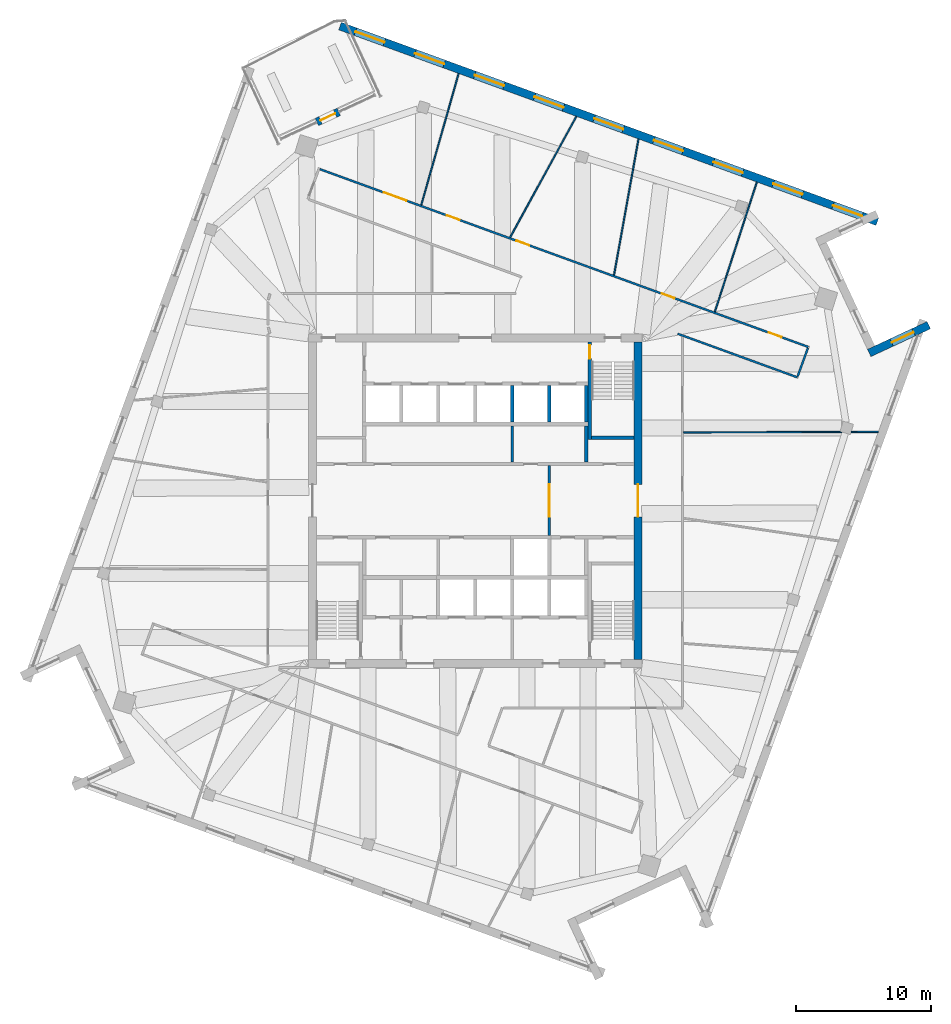
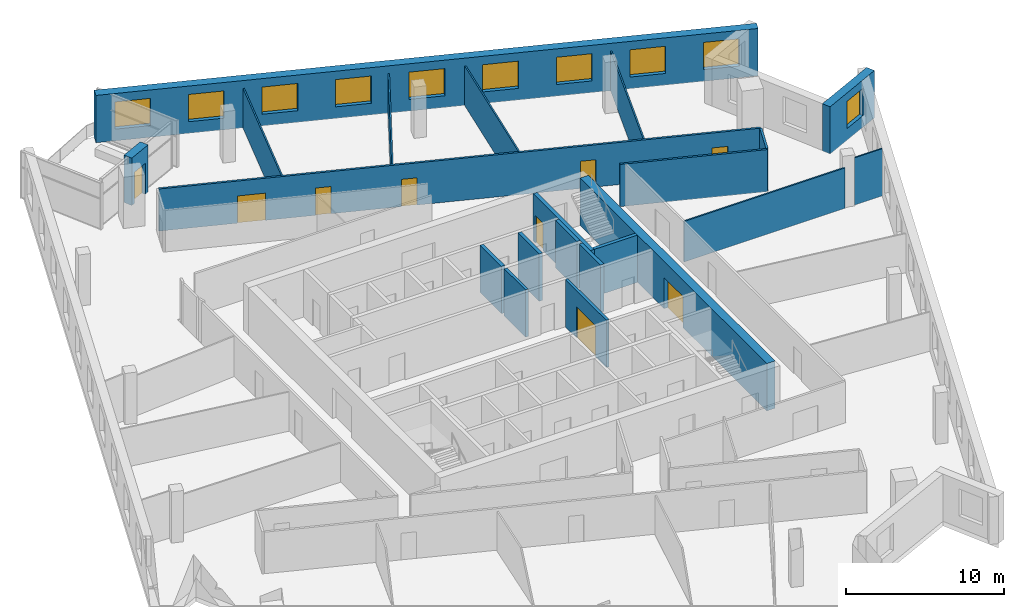
# One storey, part 10 of 13: 21 walls, 10 windows, 9 doors, 19 openings.
"""IFC4 building model written with IfcOpenShell, lengths in metres."""

from ifc_helpers import new_model, si_unit, direction, frame, frame_2d, origin, place, context, subcontext, project, spatial, rectangle, extrude, material, layer, layer_set, type_object, element, fill, save


model = new_model("IFC4")

# Units and contexts
model_context = context("Model", 3, precision=1e-05, world=origin(), true_north=direction((0.0, 1.0)))
body_context = subcontext(model_context, "Body", "Model", "MODEL_VIEW")
ifc_project = project(units=[si_unit("LENGTHUNIT", "METRE"), si_unit("AREAUNIT", "SQUARE_METRE"), si_unit("VOLUMEUNIT", "CUBIC_METRE"), si_unit("PLANEANGLEUNIT", "RADIAN"), si_unit("MASSUNIT", "GRAM", prefix="KILO")], contexts=[model_context])

# Site, building, storey
site_placement = place(None, origin())
site = spatial("IfcSite", under=ifc_project, at=site_placement, CompositionType="ELEMENT")
building_placement = place(site_placement, origin())
building = spatial("IfcBuilding", under=site, at=building_placement, Name="Dilmun Exchange Tower", CompositionType="ELEMENT")
storey_placement = place(building_placement, frame((0.0, 0.0, 304.5)))
storey = spatial("IfcBuildingStorey", under=building, at=storey_placement, Name="L72", CompositionType="ELEMENT", Elevation=304.5)

# Wall, opening, door
ifc_material_1 = material(Name="Concrete C40/50", Category="concrete")
ifc_layer_1 = layer(ifc_material_1, 0.199951171875)
ifc_layer_set_1 = layer_set([ifc_layer_1], Name="Concrete C40/50")
wall_type_1 = type_object("IfcWallType", Name="Core partition wall 200", PredefinedType="PARTITIONING", material=ifc_layer_set_1)
wall_1_placement = place(storey_placement, frame((5.5, -2.594970703125, 0.0), z_axis=(0.0, 0.0, 1.0), x_axis=(0.0, 1.0, 0.0)))
wall_1 = element("IfcWall", 1, at=wall_1_placement, inside=storey, type_object=wall_type_1, Name="L72 core partition wall 12", PredefinedType="PARTITIONING", context=body_context, shape_type="SweptSolid", body=[
    extrude(rectangle(XDim=5.18994140625, YDim=0.199951171875, at=frame_2d((2.594970703125, 0.0))), origin(), (0.0, 0.0, 1.0), 3.64990234375),
])
opening_1_placement = place(wall_1_placement, frame((1.39501953125, 0.0, 0.0)))
opening_1 = element("IfcOpeningElement", 2, at=opening_1_placement, cuts=wall_1, Name="Opening CD1", PredefinedType="OPENING", context=body_context, shape_type="SweptSolid", body=[
    extrude(rectangle(XDim=2.39990234375, YDim=2.39990234375, at=frame_2d((1.199951171875, 1.199951171875))), frame((0.0, 0.10986328125, 0.0), z_axis=(0.0, -1.0, 0.0), x_axis=(1.0, 0.0, 0.0)), (0.0, 0.0, 1.0), 0.219970703125),
])
ifc_material_2 = material(Name="Fire-rated steel door set", Category="steel")
door_type_1 = type_object("IfcDoorType", Name="Core lobby door 2400x2400", OperationType="DOUBLE_DOOR_DOUBLE_SWING", PredefinedType="DOOR", material=ifc_material_2)
door_1_placement = place(opening_1_placement, origin())
door_1 = element("IfcDoor", 3, at=door_1_placement, inside=storey, type_object=door_type_1, Name="L72 door Lift lobby east", OperationType="SINGLE_SWING_LEFT", OverallHeight=2.39990234375, OverallWidth=2.39990234375, PredefinedType="DOOR", context=body_context, shape_type="SweptSolid", body=[
    extrude(rectangle(XDim=2.39990234375, YDim=2.39990234375, at=frame_2d((1.199951171875, 1.199951171875))), frame((0.0, 0.02490234375, 0.0), z_axis=(0.0, -1.0, 0.0), x_axis=(1.0, 0.0, 0.0)), (0.0, 0.0, 1.0), 0.050048828125),
])
fill(opening_1, door_1)

# Walls
wall_2_placement = place(storey_placement, frame((2.75, 2.85498046875, 0.0), z_axis=(0.0, 0.0, 1.0), x_axis=(0.0, 1.0, 0.0)))
element("IfcWall", 4, at=wall_2_placement, inside=storey, type_object=wall_type_1, Name="L72 core partition wall 15", PredefinedType="PARTITIONING", context=body_context, shape_type="SweptSolid", body=[
    extrude(rectangle(XDim=2.68994140625, YDim=0.199951171875, at=frame_2d((1.344970703125, 0.0))), origin(), (0.0, 0.0, 1.0), 3.64990234375),
])
ifc_layer_2 = layer(ifc_material_1, 0.25)
ifc_layer_set_2 = layer_set([ifc_layer_2], Name="Concrete C40/50")
wall_type_2 = type_object("IfcWallType", Name="Core partition wall 250", PredefinedType="PARTITIONING", material=ifc_layer_set_2)
wall_3_placement = place(storey_placement, frame((8.25, 2.85498046875, 0.0), z_axis=(0.0, 0.0, 1.0), x_axis=(0.0, 1.0, 0.0)))
element("IfcWall", 5, at=wall_3_placement, inside=storey, type_object=wall_type_2, Name="L72 core partition wall 16", PredefinedType="PARTITIONING", context=body_context, shape_type="SweptSolid", body=[
    extrude(rectangle(XDim=2.68994140625, YDim=0.25, at=frame_2d((1.344970703125, 0.0))), origin(), (0.0, 0.0, 1.0), 3.64990234375),
])

# Wall, opening, door
ifc_material_3 = material(Name="Concrete C50/60", Category="concrete")
ifc_layer_3 = layer(ifc_material_3, 0.60009765625)
ifc_layer_set_3 = layer_set([ifc_layer_3], Name="Concrete C50/60")
wall_type_3 = type_object("IfcWallType", Name="Core shear wall 600 Concrete C50/60", PredefinedType="SHEAR", material=ifc_layer_set_3)
wall_4_placement = place(storey_placement, frame((12.10009765625, -11.800048828125, 0.0), z_axis=(0.0, 0.0, 1.0), x_axis=(0.0, 1.0, 0.0)))
wall_4 = element("IfcWall", 6, at=wall_4_placement, inside=storey, type_object=wall_type_3, Name="L72 core shear wall E", PredefinedType="SHEAR", context=body_context, shape_type="SweptSolid", body=[
    extrude(rectangle(XDim=23.60009765625, YDim=0.60009765625, at=frame_2d((11.800048828125, 0.0))), origin(), (0.0, 0.0, 1.0), 3.64990234375),
])
opening_2_placement = place(wall_4_placement, frame((10.60009765625, 0.0, 0.0)))
opening_2 = element("IfcOpeningElement", 7, at=opening_2_placement, cuts=wall_4, Name="Opening CD1", PredefinedType="OPENING", context=body_context, shape_type="SweptSolid", body=[
    extrude(rectangle(XDim=2.39990234375, YDim=2.39990234375, at=frame_2d((1.199951171875, 1.199951171875))), frame((0.0, 0.31005859375, 0.0), z_axis=(0.0, -1.0, 0.0), x_axis=(1.0, 0.0, 0.0)), (0.0, 0.0, 1.0), 0.6201171875),
])
door_2_placement = place(opening_2_placement, origin())
door_2 = element("IfcDoor", 8, at=door_2_placement, inside=storey, type_object=door_type_1, Name="L72 door Central lift lobby", OperationType="SINGLE_SWING_LEFT", OverallHeight=2.39990234375, OverallWidth=2.39990234375, PredefinedType="DOOR", context=body_context, shape_type="SweptSolid", body=[
    extrude(rectangle(XDim=2.39990234375, YDim=2.39990234375, at=frame_2d((1.199951171875, 1.199951171875))), frame((0.0, 0.02490234375, 0.0), z_axis=(0.0, -1.0, 0.0), x_axis=(1.0, 0.0, 0.0)), (0.0, 0.0, 1.0), 0.050048828125),
])
fill(opening_2, door_2)

# Wall, openings, doors
ifc_material_4 = material(Name="Corridor wall 150")
ifc_layer_4 = layer(ifc_material_4, 0.14990234375)
ifc_layer_set_4 = layer_set([ifc_layer_4], Name="Corridor wall 150")
wall_type_4 = type_object("IfcWallType", Name="Corridor wall 150", PredefinedType="PARTITIONING", material=ifc_layer_set_4)
wall_5_placement = place(storey_placement, frame((-11.548583984375, 24.63134765625, 0.0), z_axis=(0.0, 0.0, 1.0), x_axis=(0.939685979246, -0.342038390256, 0.0)))
wall_5 = element("IfcWall", 9, at=wall_5_placement, inside=storey, type_object=wall_type_4, Name="Corridor wall", PredefinedType="PARTITIONING", context=body_context, shape_type="SweptSolid", body=[
    extrude(rectangle(XDim=38.62841796875, YDim=0.14990234375, at=frame_2d((19.314208984375, 0.0))), origin(), (0.0, 0.0, 1.0), 3.25),
])
opening_3_placement = place(wall_5_placement, frame((5.050048828125, 0.0, 0.0)))
opening_3 = element("IfcOpeningElement", 10, at=opening_3_placement, cuts=wall_5, Name="Opening TF72-D06", PredefinedType="OPENING", context=body_context, shape_type="SweptSolid", body=[
    extrude(rectangle(XDim=1.800048828125, YDim=2.10009765625, at=frame_2d((0.89990234375, 1.050048828125))), frame((0.0, 0.0849609375, 0.0), z_axis=(0.0, -1.0, 0.0), x_axis=(1.0, 0.0, 0.0)), (0.0, 0.0, 1.0), 0.169921875),
])
opening_4_placement = place(wall_5_placement, frame((10.0458984375, 0.0, 0.0)))
opening_4 = element("IfcOpeningElement", 11, at=opening_4_placement, cuts=wall_5, Name="Opening TF72-D12", PredefinedType="OPENING", context=body_context, shape_type="SweptSolid", body=[
    extrude(rectangle(XDim=1.0, YDim=2.10009765625, at=frame_2d((0.5, 1.050048828125))), frame((0.0, 0.0849609375, 0.0), z_axis=(0.0, -1.0, 0.0), x_axis=(1.0, 0.0, 0.0)), (0.0, 0.0, 1.0), 0.169921875),
])
opening_5_placement = place(wall_5_placement, frame((15.560791015625, 0.0, 0.0)))
opening_5 = element("IfcOpeningElement", 12, at=opening_5_placement, cuts=wall_5, Name="Opening TF72-D14", PredefinedType="OPENING", context=body_context, shape_type="SweptSolid", body=[
    extrude(rectangle(XDim=1.0, YDim=2.10009765625, at=frame_2d((0.5, 1.050048828125))), frame((0.0, 0.0849609375, 0.0), z_axis=(0.0, -1.0, 0.0), x_axis=(1.0, 0.0, 0.0)), (0.0, 0.0, 1.0), 0.169921875),
])
opening_6_placement = place(wall_5_placement, frame((27.0419921875, 0.0, 0.0)))
opening_6 = element("IfcOpeningElement", 13, at=opening_6_placement, cuts=wall_5, Name="Opening TF72-D17", PredefinedType="OPENING", context=body_context, shape_type="SweptSolid", body=[
    extrude(rectangle(XDim=1.0, YDim=2.10009765625, at=frame_2d((0.5, 1.050048828125))), frame((0.0, 0.0849609375, 0.0), z_axis=(0.0, -1.0, 0.0), x_axis=(1.0, 0.0, 0.0)), (0.0, 0.0, 1.0), 0.169921875),
])
opening_7_placement = place(wall_5_placement, frame((35.506103515625, 0.0, 0.0)))
opening_7 = element("IfcOpeningElement", 14, at=opening_7_placement, cuts=wall_5, Name="Opening TF72-D21", PredefinedType="OPENING", context=body_context, shape_type="SweptSolid", body=[
    extrude(rectangle(XDim=1.0, YDim=2.10009765625, at=frame_2d((0.5, 1.050048828125))), frame((0.0, 0.0849609375, 0.0), z_axis=(0.0, -1.0, 0.0), x_axis=(1.0, 0.0, 0.0)), (0.0, 0.0, 1.0), 0.169921875),
])
ifc_material_5 = material(Name="Fire door 1000 x 2100")
door_type_2 = type_object("IfcDoorType", Name="Fire door 1000 x 2100", OperationType="NOTDEFINED", PredefinedType="DOOR", material=ifc_material_5)
door_3_placement = place(opening_4_placement, origin())
door_3 = element("IfcDoor", 15, at=door_3_placement, inside=storey, type_object=door_type_2, Name="Door TF72-D12", OperationType="SINGLE_SWING_LEFT", OverallHeight=2.10009765625, OverallWidth=1.0, PredefinedType="DOOR", context=body_context, shape_type="SweptSolid", body=[
    extrude(rectangle(XDim=1.0, YDim=2.10009765625, at=frame_2d((0.5, 1.050048828125))), frame((0.0, 0.02490234375, 0.0), z_axis=(0.0, -1.0, 0.0), x_axis=(1.0, 0.0, 0.0)), (0.0, 0.0, 1.0), 0.050048828125),
])
fill(opening_4, door_3)
door_4_placement = place(opening_5_placement, origin())
door_4 = element("IfcDoor", 16, at=door_4_placement, inside=storey, type_object=door_type_2, Name="Door TF72-D14", OperationType="SINGLE_SWING_RIGHT", OverallHeight=2.10009765625, OverallWidth=1.0, PredefinedType="DOOR", context=body_context, shape_type="SweptSolid", body=[
    extrude(rectangle(XDim=1.0, YDim=2.10009765625, at=frame_2d((0.5, 1.050048828125))), frame((0.0, 0.02490234375, 0.0), z_axis=(0.0, -1.0, 0.0), x_axis=(1.0, 0.0, 0.0)), (0.0, 0.0, 1.0), 0.050048828125),
])
fill(opening_5, door_4)
door_5_placement = place(opening_6_placement, origin())
door_5 = element("IfcDoor", 17, at=door_5_placement, inside=storey, type_object=door_type_2, Name="Door TF72-D17", OperationType="SINGLE_SWING_RIGHT", OverallHeight=2.10009765625, OverallWidth=1.0, PredefinedType="DOOR", context=body_context, shape_type="SweptSolid", body=[
    extrude(rectangle(XDim=1.0, YDim=2.10009765625, at=frame_2d((0.5, 1.050048828125))), frame((0.0, 0.02490234375, 0.0), z_axis=(0.0, -1.0, 0.0), x_axis=(1.0, 0.0, 0.0)), (0.0, 0.0, 1.0), 0.050048828125),
])
fill(opening_6, door_5)
door_6_placement = place(opening_7_placement, origin())
door_6 = element("IfcDoor", 18, at=door_6_placement, inside=storey, type_object=door_type_2, Name="Door TF72-D21", OperationType="SINGLE_SWING_LEFT", OverallHeight=2.10009765625, OverallWidth=1.0, PredefinedType="DOOR", context=body_context, shape_type="SweptSolid", body=[
    extrude(rectangle(XDim=1.0, YDim=2.10009765625, at=frame_2d((0.5, 1.050048828125))), frame((0.0, 0.02490234375, 0.0), z_axis=(0.0, -1.0, 0.0), x_axis=(1.0, 0.0, 0.0)), (0.0, 0.0, 1.0), 0.050048828125),
])
fill(opening_7, door_6)
ifc_material_6 = material(Name="Fire door pair 1800 x 2100")
door_type_3 = type_object("IfcDoorType", Name="Fire door pair 1800 x 2100", OperationType="NOTDEFINED", PredefinedType="DOOR", material=ifc_material_6)
door_7_placement = place(opening_3_placement, origin())
door_7 = element("IfcDoor", 19, at=door_7_placement, inside=storey, type_object=door_type_3, Name="Door TF72-D06", OperationType="DOUBLE_DOOR_SINGLE_SWING", OverallHeight=2.10009765625, OverallWidth=1.800048828125, PredefinedType="DOOR", context=body_context, shape_type="SweptSolid", body=[
    extrude(rectangle(XDim=1.800048828125, YDim=2.10009765625, at=frame_2d((0.89990234375, 1.050048828125))), frame((0.0, 0.02490234375, 0.0), z_axis=(0.0, -1.0, 0.0), x_axis=(1.0, 0.0, 0.0)), (0.0, 0.0, 1.0), 0.050048828125),
])
fill(opening_3, door_7)

# Walls
wall_6_placement = place(storey_placement, frame((15.0400390625, 12.39990234375, 0.0), z_axis=(0.0, 0.0, 1.0), x_axis=(0.939674306664, -0.34207045677, 0.0)))
element("IfcWall", 20, at=wall_6_placement, inside=storey, type_object=wall_type_4, Name="Corridor wall", PredefinedType="PARTITIONING", context=body_context, shape_type="SweptSolid", body=[
    extrude(rectangle(XDim=9.45947265625, YDim=0.14990234375, at=frame_2d((4.729736328125, 0.0))), origin(), (0.0, 0.0, 1.0), 3.25),
])
wall_7_placement = place(storey_placement, frame((23.95458984375, 9.234619140625, 0.0), z_axis=(0.0, 0.0, 1.0), x_axis=(0.342187433401, 0.939631715313, 0.0)))
element("IfcWall", 21, at=wall_7_placement, inside=storey, type_object=wall_type_4, Name="Corridor wall", PredefinedType="PARTITIONING", context=body_context, shape_type="SweptSolid", body=[
    extrude(rectangle(XDim=2.24951171875, YDim=0.14990234375, at=frame_2d((1.124755859375, 0.0))), origin(), (0.0, 0.0, 1.0), 3.25),
])
ifc_layer_5 = layer(ifc_material_1, 0.25)
ifc_layer_set_5 = layer_set([ifc_layer_5], Name="Concrete C40/50")
wall_type_5 = type_object("IfcWallType", Name="Lift shaft wall 250", PredefinedType="SOLIDWALL", material=ifc_layer_set_5)
for number, where, z_axis, x_axis, name in (
    (22, (2.75, 5.85009765625, 0.0), (0.0, 0.0, 1.0), (0.0, 1.0, 0.0), "L72 lift shaft divider N24"),
    (23, (5.5, 5.85009765625, 0.0), (0.0, 0.0, 1.0), (0.0, 1.0, 0.0), "L72 lift shaft divider N25"),
    (24, (8.25, 5.85009765625, 0.0), (0.0, 0.0, 1.0), (0.0, 1.0, 0.0), "L72 lift shaft divider N26"),
):
    element("IfcWall", number, at=place(storey_placement, frame(where, z_axis=z_axis, x_axis=x_axis)), inside=storey, type_object=wall_type_5, Name=name, PredefinedType="SOLIDWALL", context=body_context, shape_type="SweptSolid", body=[
        extrude(rectangle(XDim=2.699951171875, YDim=0.25, at=frame_2d((1.35009765625, 0.0))), origin(), (0.0, 0.0, 1.0), 3.64990234375),
    ])
ifc_material_7 = material(Name="Partition 100")
ifc_layer_6 = layer(ifc_material_7, 0.10009765625)
ifc_layer_set_6 = layer_set([ifc_layer_6], Name="Partition 100")
wall_type_6 = type_object("IfcWallType", Name="Partition 100", PredefinedType="PARTITIONING", material=ifc_layer_set_6)
wall_8_placement = place(storey_placement, frame((-4.010498046875, 21.970703125, 0.0), z_axis=(0.0, 0.0, 1.0), x_axis=(0.273351697038, 0.96191415923, 0.0)))
element("IfcWall", 25, at=wall_8_placement, inside=storey, type_object=wall_type_6, Name="Partition", PredefinedType="PARTITIONING", context=body_context, shape_type="SweptSolid", body=[
    extrude(rectangle(XDim=10.150390625, YDim=0.10009765625, at=frame_2d((5.0751953125, 0.0))), origin(), (0.0, 0.0, 1.0), 3.050048828125),
])
wall_9_placement = place(storey_placement, frame((2.59716796875, 19.5703125, 0.0), z_axis=(0.0, 0.0, 1.0), x_axis=(0.480064743051, 0.877233060526, 0.0)))
element("IfcWall", 26, at=wall_9_placement, inside=storey, type_object=wall_type_6, Name="Partition", PredefinedType="PARTITIONING", context=body_context, shape_type="SweptSolid", body=[
    extrude(rectangle(XDim=10.2373046875, YDim=0.10009765625, at=frame_2d((5.11865234375, 0.0))), origin(), (0.0, 0.0, 1.0), 3.050048828125),
])
wall_10_placement = place(storey_placement, frame((10.31298828125, 16.762451171875, 0.0), z_axis=(0.0, 0.0, 1.0), x_axis=(0.176922718916, 0.984224746454, 0.0)))
element("IfcWall", 27, at=wall_10_placement, inside=storey, type_object=wall_type_6, Name="Partition", PredefinedType="PARTITIONING", context=body_context, shape_type="SweptSolid", body=[
    extrude(rectangle(XDim=10.26953125, YDim=0.10009765625, at=frame_2d((5.134765625, 0.0))), origin(), (0.0, 0.0, 1.0), 3.050048828125),
])
wall_11_placement = place(storey_placement, frame((15.47509765625, 5.069091796875, 0.0), z_axis=(0.0, 0.0, 1.0), x_axis=(0.999996133827, 0.00278070684, 0.0)))
element("IfcWall", 28, at=wall_11_placement, inside=storey, type_object=wall_type_6, Name="Partition", PredefinedType="PARTITIONING", context=body_context, shape_type="SweptSolid", body=[
    extrude(rectangle(XDim=11.764892578125, YDim=0.10009765625, at=frame_2d((5.88232421875, 0.0))), origin(), (0.0, 0.0, 1.0), 3.1298828125),
])
wall_12_placement = place(storey_placement, frame((17.80078125, 14.030029296875, 0.0), z_axis=(0.0, 0.0, 1.0), x_axis=(0.308373882016, 0.951265235826, 0.0)))
element("IfcWall", 29, at=wall_12_placement, inside=storey, type_object=wall_type_6, Name="Partition", PredefinedType="PARTITIONING", context=body_context, shape_type="SweptSolid", body=[
    extrude(rectangle(XDim=10.13232421875, YDim=0.10009765625, at=frame_2d((5.066162109375, 0.0))), origin(), (0.0, 0.0, 1.0), 3.050048828125),
])
wall_13_placement = place(storey_placement, frame((27.932861328125, 5.103515625, 0.0), z_axis=(0.0, 0.0, 1.0), x_axis=(0.999996132662, 0.002781125883, 0.0)))
element("IfcWall", 30, at=wall_13_placement, inside=storey, type_object=wall_type_6, Name="Partition", PredefinedType="PARTITIONING", context=body_context, shape_type="SweptSolid", body=[
    extrude(rectangle(XDim=2.01904296875, YDim=0.10009765625, at=frame_2d((1.009521484375, 0.0))), origin(), (0.0, 0.0, 1.0), 3.64990234375),
])

# Wall, opening, window
ifc_material_8 = material(Name="Precast concrete C50/60", Category="concrete")
ifc_layer_7 = layer(ifc_material_8, 0.60009765625)
ifc_layer_set_7 = layer_set([ifc_layer_7], Name="Precast concrete C50/60")
wall_type_7 = type_object("IfcWallType", Name="Precast stone-clad wall 600", PredefinedType="STANDARD", material=ifc_layer_set_7)
wall_14_placement = place(storey_placement, frame((33.703369140625, 13.036376953125, 0.0), z_axis=(0.0, 0.0, 1.0), x_axis=(-0.906306938878, -0.422620080618, 0.0)))
wall_14 = element("IfcWall", 31, at=wall_14_placement, inside=storey, type_object=wall_type_7, Name="Facade wall L72-12", PredefinedType="STANDARD", context=body_context, shape_type="SweptSolid", body=[
    extrude(rectangle(XDim=4.885498046875, YDim=0.60009765625, at=frame_2d((2.44287109375, 0.0))), origin(), (0.0, 0.0, 1.0), 3.64990234375),
])
opening_8_placement = place(wall_14_placement, frame((1.242919921875, 0.0, 0.89990234375)))
opening_8 = element("IfcOpeningElement", 32, at=opening_8_placement, cuts=wall_14, Name="Opening W180-210", PredefinedType="OPENING", context=body_context, shape_type="SweptSolid", body=[
    extrude(rectangle(XDim=1.800048828125, YDim=2.10009765625, at=frame_2d((0.89990234375, 1.050048828125))), frame((0.0, 0.31005859375, 0.0), z_axis=(0.0, -1.0, 0.0), x_axis=(1.0, 0.0, 0.0)), (0.0, 0.0, 1.0), 0.6201171875),
])
ifc_material_9 = material(Name="Clear low-emissivity glass in aluminium frame", Category="aluminium")
window_type_1 = type_object("IfcWindowType", Name="Punched window 1800 x 2100", PartitioningType="DOUBLE_PANEL_VERTICAL", PredefinedType="WINDOW", material=ifc_material_9)
window_1_placement = place(opening_8_placement, origin())
window_1 = element("IfcWindow", 33, at=window_1_placement, inside=storey, type_object=window_type_1, Name="Window 13.1", OverallHeight=2.10009765625, OverallWidth=1.800048828125, PartitioningType="SINGLE_PANEL", PredefinedType="WINDOW", context=body_context, shape_type="SweptSolid", body=[
    extrude(rectangle(XDim=1.800048828125, YDim=2.10009765625, at=frame_2d((0.89990234375, 1.050048828125))), frame((0.0, 0.030029296875, 0.0), z_axis=(0.0, -1.0, 0.0), x_axis=(1.0, 0.0, 0.0)), (0.0, 0.0, 1.0), 0.06005859375),
])
fill(opening_8, window_1)

# Wall, openings, windows
wall_15_placement = place(storey_placement, frame((29.8818359375, 20.72998046875, 0.0), z_axis=(0.0, 0.0, 1.0), x_axis=(-0.939693396491, 0.342018012087, 0.0)))
wall_15 = element("IfcWall", 34, at=wall_15_placement, inside=storey, type_object=wall_type_7, Name="Facade wall L72-15", PredefinedType="STANDARD", context=body_context, shape_type="SweptSolid", body=[
    extrude(rectangle(XDim=42.48974609375, YDim=0.60009765625, at=frame_2d((21.244873046875, 0.0))), origin(), (0.0, 0.0, 1.0), 3.64990234375),
])
opening_9_placement = place(wall_15_placement, frame((1.21044921875, 0.0, 0.89990234375)))
opening_9 = element("IfcOpeningElement", 35, at=opening_9_placement, cuts=wall_15, Name="Opening W230-210", PredefinedType="OPENING", context=body_context, shape_type="SweptSolid", body=[
    extrude(rectangle(XDim=2.300048828125, YDim=2.10009765625, at=frame_2d((1.14990234375, 1.050048828125))), frame((0.0, 0.31005859375, 0.0), z_axis=(0.0, -1.0, 0.0), x_axis=(1.0, 0.0, 0.0)), (0.0, 0.0, 1.0), 0.6201171875),
])
opening_10_placement = place(wall_15_placement, frame((5.931640625, 0.0, 0.89990234375)))
opening_10 = element("IfcOpeningElement", 36, at=opening_10_placement, cuts=wall_15, Name="Opening W230-210", PredefinedType="OPENING", context=body_context, shape_type="SweptSolid", body=[
    extrude(rectangle(XDim=2.300048828125, YDim=2.10009765625, at=frame_2d((1.14990234375, 1.050048828125))), frame((0.0, 0.31005859375, 0.0), z_axis=(0.0, -1.0, 0.0), x_axis=(1.0, 0.0, 0.0)), (0.0, 0.0, 1.0), 0.6201171875),
])
opening_11_placement = place(wall_15_placement, frame((10.652587890625, 0.0, 0.89990234375)))
opening_11 = element("IfcOpeningElement", 37, at=opening_11_placement, cuts=wall_15, Name="Opening W230-210", PredefinedType="OPENING", context=body_context, shape_type="SweptSolid", body=[
    extrude(rectangle(XDim=2.300048828125, YDim=2.10009765625, at=frame_2d((1.14990234375, 1.050048828125))), frame((0.0, 0.31005859375, 0.0), z_axis=(0.0, -1.0, 0.0), x_axis=(1.0, 0.0, 0.0)), (0.0, 0.0, 1.0), 0.6201171875),
])
opening_12_placement = place(wall_15_placement, frame((15.373779296875, 0.0, 0.89990234375)))
opening_12 = element("IfcOpeningElement", 38, at=opening_12_placement, cuts=wall_15, Name="Opening W230-210", PredefinedType="OPENING", context=body_context, shape_type="SweptSolid", body=[
    extrude(rectangle(XDim=2.300048828125, YDim=2.10009765625, at=frame_2d((1.14990234375, 1.050048828125))), frame((0.0, 0.31005859375, 0.0), z_axis=(0.0, -1.0, 0.0), x_axis=(1.0, 0.0, 0.0)), (0.0, 0.0, 1.0), 0.6201171875),
])
opening_13_placement = place(wall_15_placement, frame((20.0947265625, 0.0, 0.89990234375)))
opening_13 = element("IfcOpeningElement", 39, at=opening_13_placement, cuts=wall_15, Name="Opening W230-210", PredefinedType="OPENING", context=body_context, shape_type="SweptSolid", body=[
    extrude(rectangle(XDim=2.300048828125, YDim=2.10009765625, at=frame_2d((1.14990234375, 1.050048828125))), frame((0.0, 0.31005859375, 0.0), z_axis=(0.0, -1.0, 0.0), x_axis=(1.0, 0.0, 0.0)), (0.0, 0.0, 1.0), 0.6201171875),
])
opening_14_placement = place(wall_15_placement, frame((24.81591796875, 0.0, 0.89990234375)))
opening_14 = element("IfcOpeningElement", 40, at=opening_14_placement, cuts=wall_15, Name="Opening W230-210", PredefinedType="OPENING", context=body_context, shape_type="SweptSolid", body=[
    extrude(rectangle(XDim=2.300048828125, YDim=2.10009765625, at=frame_2d((1.14990234375, 1.050048828125))), frame((0.0, 0.31005859375, 0.0), z_axis=(0.0, -1.0, 0.0), x_axis=(1.0, 0.0, 0.0)), (0.0, 0.0, 1.0), 0.6201171875),
])
opening_15_placement = place(wall_15_placement, frame((29.536865234375, 0.0, 0.89990234375)))
opening_15 = element("IfcOpeningElement", 41, at=opening_15_placement, cuts=wall_15, Name="Opening W230-210", PredefinedType="OPENING", context=body_context, shape_type="SweptSolid", body=[
    extrude(rectangle(XDim=2.300048828125, YDim=2.10009765625, at=frame_2d((1.14990234375, 1.050048828125))), frame((0.0, 0.31005859375, 0.0), z_axis=(0.0, -1.0, 0.0), x_axis=(1.0, 0.0, 0.0)), (0.0, 0.0, 1.0), 0.6201171875),
])
opening_16_placement = place(wall_15_placement, frame((34.258056640625, 0.0, 0.89990234375)))
opening_16 = element("IfcOpeningElement", 42, at=opening_16_placement, cuts=wall_15, Name="Opening W230-210", PredefinedType="OPENING", context=body_context, shape_type="SweptSolid", body=[
    extrude(rectangle(XDim=2.300048828125, YDim=2.10009765625, at=frame_2d((1.14990234375, 1.050048828125))), frame((0.0, 0.31005859375, 0.0), z_axis=(0.0, -1.0, 0.0), x_axis=(1.0, 0.0, 0.0)), (0.0, 0.0, 1.0), 0.6201171875),
])
opening_17_placement = place(wall_15_placement, frame((38.97900390625, 0.0, 0.89990234375)))
opening_17 = element("IfcOpeningElement", 43, at=opening_17_placement, cuts=wall_15, Name="Opening W230-210", PredefinedType="OPENING", context=body_context, shape_type="SweptSolid", body=[
    extrude(rectangle(XDim=2.300048828125, YDim=2.10009765625, at=frame_2d((1.14990234375, 1.050048828125))), frame((0.0, 0.31005859375, 0.0), z_axis=(0.0, -1.0, 0.0), x_axis=(1.0, 0.0, 0.0)), (0.0, 0.0, 1.0), 0.6201171875),
])
window_type_2 = type_object("IfcWindowType", Name="Punched window 2300 x 2100", PartitioningType="DOUBLE_PANEL_VERTICAL", PredefinedType="WINDOW", material=ifc_material_9)
window_2_placement = place(opening_9_placement, origin())
window_2 = element("IfcWindow", 44, at=window_2_placement, inside=storey, type_object=window_type_2, Name="Window 16.1", OverallHeight=2.10009765625, OverallWidth=2.300048828125, PartitioningType="SINGLE_PANEL", PredefinedType="WINDOW", context=body_context, shape_type="SweptSolid", body=[
    extrude(rectangle(XDim=2.300048828125, YDim=2.10009765625, at=frame_2d((1.14990234375, 1.050048828125))), frame((0.0, 0.030029296875, 0.0), z_axis=(0.0, -1.0, 0.0), x_axis=(1.0, 0.0, 0.0)), (0.0, 0.0, 1.0), 0.06005859375),
])
fill(opening_9, window_2)
window_3_placement = place(opening_10_placement, origin())
window_3 = element("IfcWindow", 45, at=window_3_placement, inside=storey, type_object=window_type_2, Name="Window 16.2", OverallHeight=2.10009765625, OverallWidth=2.300048828125, PartitioningType="SINGLE_PANEL", PredefinedType="WINDOW", context=body_context, shape_type="SweptSolid", body=[
    extrude(rectangle(XDim=2.300048828125, YDim=2.10009765625, at=frame_2d((1.14990234375, 1.050048828125))), frame((0.0, 0.030029296875, 0.0), z_axis=(0.0, -1.0, 0.0), x_axis=(1.0, 0.0, 0.0)), (0.0, 0.0, 1.0), 0.06005859375),
])
fill(opening_10, window_3)
window_4_placement = place(opening_11_placement, origin())
window_4 = element("IfcWindow", 46, at=window_4_placement, inside=storey, type_object=window_type_2, Name="Window 16.3", OverallHeight=2.10009765625, OverallWidth=2.300048828125, PartitioningType="SINGLE_PANEL", PredefinedType="WINDOW", context=body_context, shape_type="SweptSolid", body=[
    extrude(rectangle(XDim=2.300048828125, YDim=2.10009765625, at=frame_2d((1.14990234375, 1.050048828125))), frame((0.0, 0.030029296875, 0.0), z_axis=(0.0, -1.0, 0.0), x_axis=(1.0, 0.0, 0.0)), (0.0, 0.0, 1.0), 0.06005859375),
])
fill(opening_11, window_4)
window_5_placement = place(opening_12_placement, origin())
window_5 = element("IfcWindow", 47, at=window_5_placement, inside=storey, type_object=window_type_2, Name="Window 16.4", OverallHeight=2.10009765625, OverallWidth=2.300048828125, PartitioningType="SINGLE_PANEL", PredefinedType="WINDOW", context=body_context, shape_type="SweptSolid", body=[
    extrude(rectangle(XDim=2.300048828125, YDim=2.10009765625, at=frame_2d((1.14990234375, 1.050048828125))), frame((0.0, 0.030029296875, 0.0), z_axis=(0.0, -1.0, 0.0), x_axis=(1.0, 0.0, 0.0)), (0.0, 0.0, 1.0), 0.06005859375),
])
fill(opening_12, window_5)
window_6_placement = place(opening_13_placement, origin())
window_6 = element("IfcWindow", 48, at=window_6_placement, inside=storey, type_object=window_type_2, Name="Window 16.5", OverallHeight=2.10009765625, OverallWidth=2.300048828125, PartitioningType="SINGLE_PANEL", PredefinedType="WINDOW", context=body_context, shape_type="SweptSolid", body=[
    extrude(rectangle(XDim=2.300048828125, YDim=2.10009765625, at=frame_2d((1.14990234375, 1.050048828125))), frame((0.0, 0.030029296875, 0.0), z_axis=(0.0, -1.0, 0.0), x_axis=(1.0, 0.0, 0.0)), (0.0, 0.0, 1.0), 0.06005859375),
])
fill(opening_13, window_6)
window_7_placement = place(opening_14_placement, origin())
window_7 = element("IfcWindow", 49, at=window_7_placement, inside=storey, type_object=window_type_2, Name="Window 16.6", OverallHeight=2.10009765625, OverallWidth=2.300048828125, PartitioningType="SINGLE_PANEL", PredefinedType="WINDOW", context=body_context, shape_type="SweptSolid", body=[
    extrude(rectangle(XDim=2.300048828125, YDim=2.10009765625, at=frame_2d((1.14990234375, 1.050048828125))), frame((0.0, 0.030029296875, 0.0), z_axis=(0.0, -1.0, 0.0), x_axis=(1.0, 0.0, 0.0)), (0.0, 0.0, 1.0), 0.06005859375),
])
fill(opening_14, window_7)
window_8_placement = place(opening_15_placement, origin())
window_8 = element("IfcWindow", 50, at=window_8_placement, inside=storey, type_object=window_type_2, Name="Window 16.7", OverallHeight=2.10009765625, OverallWidth=2.300048828125, PartitioningType="SINGLE_PANEL", PredefinedType="WINDOW", context=body_context, shape_type="SweptSolid", body=[
    extrude(rectangle(XDim=2.300048828125, YDim=2.10009765625, at=frame_2d((1.14990234375, 1.050048828125))), frame((0.0, 0.030029296875, 0.0), z_axis=(0.0, -1.0, 0.0), x_axis=(1.0, 0.0, 0.0)), (0.0, 0.0, 1.0), 0.06005859375),
])
fill(opening_15, window_8)
window_9_placement = place(opening_16_placement, origin())
window_9 = element("IfcWindow", 51, at=window_9_placement, inside=storey, type_object=window_type_2, Name="Window 16.8", OverallHeight=2.10009765625, OverallWidth=2.300048828125, PartitioningType="SINGLE_PANEL", PredefinedType="WINDOW", context=body_context, shape_type="SweptSolid", body=[
    extrude(rectangle(XDim=2.300048828125, YDim=2.10009765625, at=frame_2d((1.14990234375, 1.050048828125))), frame((0.0, 0.030029296875, 0.0), z_axis=(0.0, -1.0, 0.0), x_axis=(1.0, 0.0, 0.0)), (0.0, 0.0, 1.0), 0.06005859375),
])
fill(opening_16, window_9)
window_10_placement = place(opening_17_placement, origin())
window_10 = element("IfcWindow", 52, at=window_10_placement, inside=storey, type_object=window_type_2, Name="Window 16.9", OverallHeight=2.10009765625, OverallWidth=2.300048828125, PartitioningType="SINGLE_PANEL", PredefinedType="WINDOW", context=body_context, shape_type="SweptSolid", body=[
    extrude(rectangle(XDim=2.300048828125, YDim=2.10009765625, at=frame_2d((1.14990234375, 1.050048828125))), frame((0.0, 0.030029296875, 0.0), z_axis=(0.0, -1.0, 0.0), x_axis=(1.0, 0.0, 0.0)), (0.0, 0.0, 1.0), 0.06005859375),
])
fill(opening_17, window_10)

# Wall, opening, door
wall_16_placement = place(storey_placement, frame((-10.138671875, 28.8916015625, 0.0), z_axis=(0.0, 0.0, 1.0), x_axis=(-0.906300917592, -0.422632992999, 0.0)))
wall_16 = element("IfcWall", 53, at=wall_16_placement, inside=storey, type_object=wall_type_7, Name="Facade wall L72-01-D", PredefinedType="STANDARD", context=body_context, shape_type="SweptSolid", body=[
    extrude(rectangle(XDim=1.800048828125, YDim=0.60009765625, at=frame_2d((0.89990234375, 0.0))), origin(), (0.0, 0.0, 1.0), 3.64990234375),
])
opening_18_placement = place(wall_16_placement, frame((0.300048828125, 0.0, 0.0)))
opening_18 = element("IfcOpeningElement", 54, at=opening_18_placement, cuts=wall_16, Name="Opening GD-1", PredefinedType="OPENING", context=body_context, shape_type="SweptSolid", body=[
    extrude(rectangle(XDim=1.199951171875, YDim=2.39990234375, at=frame_2d((0.60009765625, 1.199951171875))), frame((0.0, 0.31005859375, 0.0), z_axis=(0.0, -1.0, 0.0), x_axis=(1.0, 0.0, 0.0)), (0.0, 0.0, 1.0), 0.6201171875),
])
door_type_4 = type_object("IfcDoorType", Name="Glazed garden door 1200 x 2400", OperationType="SINGLE_SWING_LEFT", PredefinedType="DOOR", material=ifc_material_9)
door_8_placement = place(opening_18_placement, origin())
door_8 = element("IfcDoor", 55, at=door_8_placement, inside=storey, type_object=door_type_4, Name="Garden terrace door", OperationType="SINGLE_SWING_LEFT", OverallHeight=2.39990234375, OverallWidth=1.199951171875, PredefinedType="DOOR", context=body_context, shape_type="SweptSolid", body=[
    extrude(rectangle(XDim=1.199951171875, YDim=2.39990234375, at=frame_2d((0.60009765625, 1.199951171875))), frame((0.0, 0.02490234375, 0.0), z_axis=(0.0, -1.0, 0.0), x_axis=(1.0, 0.0, 0.0)), (0.0, 0.0, 1.0), 0.050048828125),
])
fill(opening_18, door_8)

# Wall
ifc_layer_8 = layer(ifc_material_1, 0.25)
ifc_layer_set_8 = layer_set([ifc_layer_8], Name="Concrete C40/50")
wall_type_8 = type_object("IfcWallType", Name="Stair end wall 250", PredefinedType="SOLIDWALL", material=ifc_layer_set_8)
wall_17_placement = place(storey_placement, frame((8.64990234375, 4.675048828125, 0.0), z_axis=(0.0, 0.0, 1.0), x_axis=(1.0, 0.0, 0.0)))
element("IfcWall", 56, at=wall_17_placement, inside=storey, type_object=wall_type_8, Name="L72 ST1 far wall", PredefinedType="SOLIDWALL", context=body_context, shape_type="SweptSolid", body=[
    extrude(rectangle(XDim=3.150146484375, YDim=0.25, at=frame_2d((1.5751953125, 0.0))), origin(), (0.0, 0.0, 1.0), 3.64990234375),
])

# Wall, opening, door
ifc_layer_9 = layer(ifc_material_1, 0.27490234375)
ifc_layer_set_9 = layer_set([ifc_layer_9], Name="Concrete C40/50")
wall_type_9 = type_object("IfcWallType", Name="Stair wall 275", PredefinedType="SOLIDWALL", material=ifc_layer_set_9)
wall_18_placement = place(storey_placement, frame((8.512451171875, 4.550048828125, 0.0), z_axis=(0.0, 0.0, 1.0), x_axis=(0.0, 1.0, 0.0)))
wall_18 = element("IfcWall", 57, at=wall_18_placement, inside=storey, type_object=wall_type_9, Name="L72 ST1 wall to lift block", PredefinedType="SOLIDWALL", context=body_context, shape_type="SweptSolid", body=[
    extrude(rectangle(XDim=7.25, YDim=0.27490234375, at=frame_2d((3.625, 0.0))), origin(), (0.0, 0.0, 1.0), 3.64990234375),
])
opening_19_placement = place(wall_18_placement, frame((6.0, 0.0, 0.0)))
opening_19 = element("IfcOpeningElement", 58, at=opening_19_placement, cuts=wall_18, Name="Opening CD4", PredefinedType="OPENING", context=body_context, shape_type="SweptSolid", body=[
    extrude(rectangle(XDim=1.0, YDim=2.10009765625, at=frame_2d((0.5, 1.050048828125))), frame((0.0, 0.1474609375, 0.0), z_axis=(0.0, -1.0, 0.0), x_axis=(1.0, 0.0, 0.0)), (0.0, 0.0, 1.0), 0.294921875),
])
door_type_5 = type_object("IfcDoorType", Name="Core room door 1000x2100", OperationType="SINGLE_SWING_LEFT", PredefinedType="DOOR", material=ifc_material_2)
door_9_placement = place(opening_19_placement, origin())
door_9 = element("IfcDoor", 59, at=door_9_placement, inside=storey, type_object=door_type_5, Name="L72 door ST1 from lobby", OperationType="SINGLE_SWING_LEFT", OverallHeight=2.10009765625, OverallWidth=1.0, PredefinedType="DOOR", context=body_context, shape_type="SweptSolid", body=[
    extrude(rectangle(XDim=1.0, YDim=2.10009765625, at=frame_2d((0.5, 1.050048828125))), frame((0.0, 0.02490234375, 0.0), z_axis=(0.0, -1.0, 0.0), x_axis=(1.0, 0.0, 0.0)), (0.0, 0.0, 1.0), 0.050048828125),
])
fill(opening_19, door_9)

save(model, "model.ifc")
